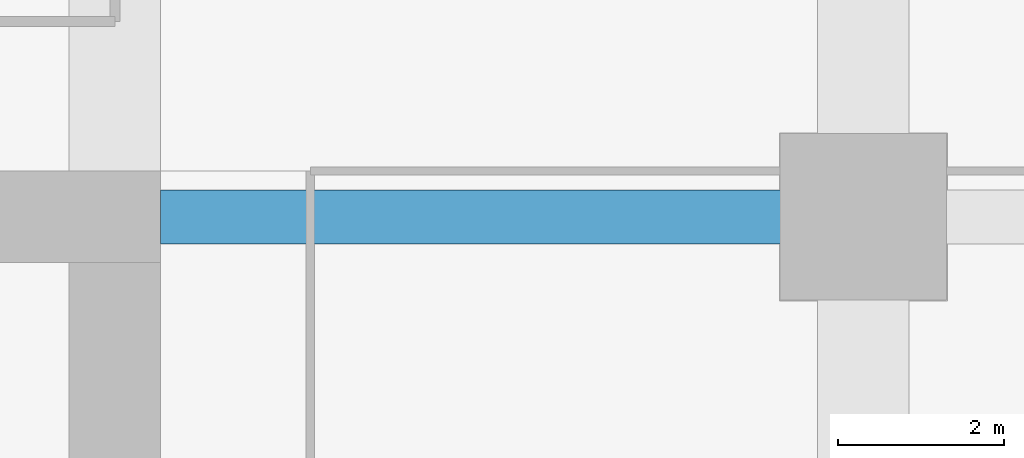
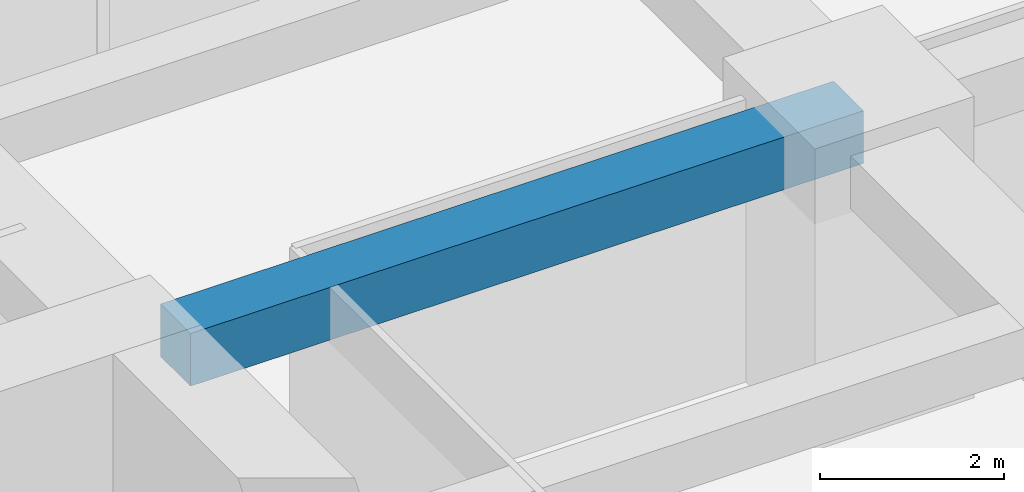
# One storey, part 31 of 41: 1 beam.
"""IFC4 building model written with IfcOpenShell, lengths in metres."""

from ifc_helpers import new_model, si_unit, direction, frame, origin, origin_2d, place, context, subcontext, project, spatial, rectangle, extrude, material, material_profile, profile_set, type_object, element, save


model = new_model("IFC4")

# Units and contexts
model_context = context("Model", 3, precision=1e-05, world=origin(), true_north=direction((0.0, 1.0)))
body_context = subcontext(model_context, "Body", "Model", "MODEL_VIEW")
ifc_project = project(units=[si_unit("LENGTHUNIT", "METRE"), si_unit("AREAUNIT", "SQUARE_METRE"), si_unit("VOLUMEUNIT", "CUBIC_METRE"), si_unit("PLANEANGLEUNIT", "RADIAN"), si_unit("MASSUNIT", "GRAM", prefix="KILO")], contexts=[model_context])

# Site, building, storey
site_placement = place(None, origin())
site = spatial("IfcSite", under=ifc_project, at=site_placement, CompositionType="ELEMENT")
building_placement = place(site_placement, origin())
building = spatial("IfcBuilding", under=site, at=building_placement, Name="Zorevar Civic Tower", CompositionType="ELEMENT")
storey_placement = place(building_placement, frame((0.0, 0.0, 109.0)))
storey = spatial("IfcBuildingStorey", under=building, at=storey_placement, Name="L26", CompositionType="ELEMENT", Elevation=109.0)

# Beam
ifc_material = material(Name="Concrete C50/60", Category="concrete")
ifc_material_profile = material_profile(ifc_material, rectangle(XDim=0.64990234375, YDim=0.699951171875, at=origin_2d()), Name="RC 650x700")
ifc_profile_set = profile_set([ifc_material_profile], Name="Concrete C50/60")
beam_type = type_object("IfcBeamType", Name="Beam RC 650x700", PredefinedType="BEAM", material=ifc_profile_set)
beam_placement = place(storey_placement, frame((45.550048828125, 36.0, 3.39990234375), z_axis=(1.0, 0.0, 0.0), x_axis=(0.0, 1.0, 0.0)))
element("IfcBeam", 1, at=beam_placement, inside=storey, type_object=beam_type, Name="Girder L27", PredefinedType="BEAM", context=body_context, shape_type="SweptSolid", body=[
    extrude(rectangle(XDim=0.64990234375, YDim=0.699951171875, at=origin_2d()), origin(), (0.0, 0.0, 1.0), 8.449951171875),
])

save(model, "model.ifc")
